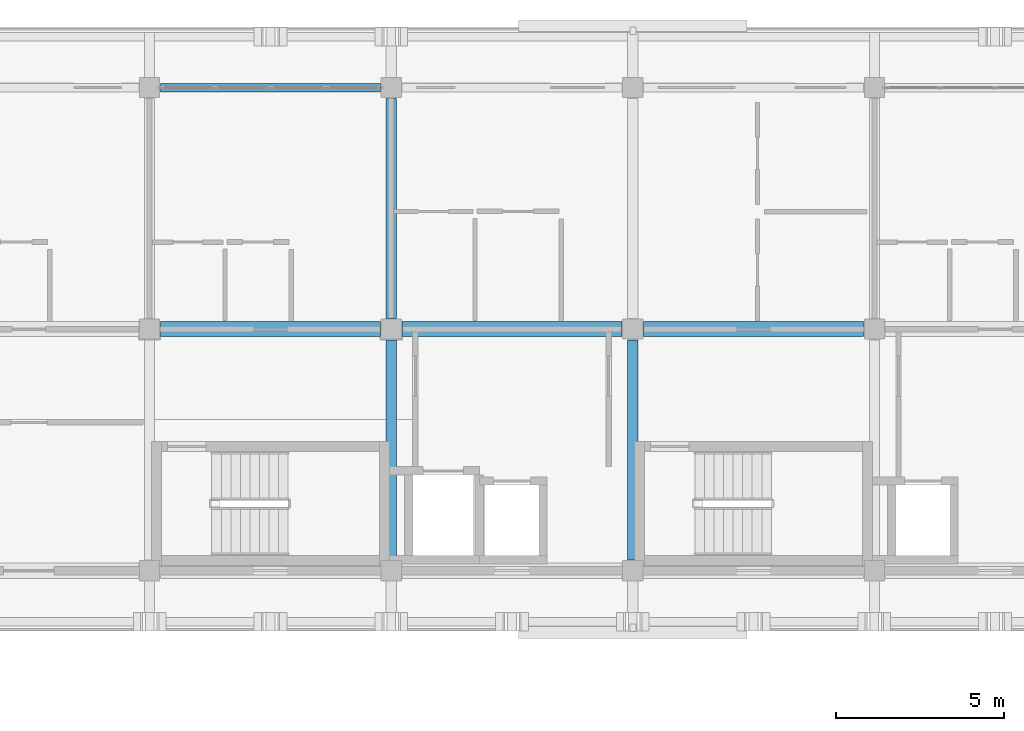
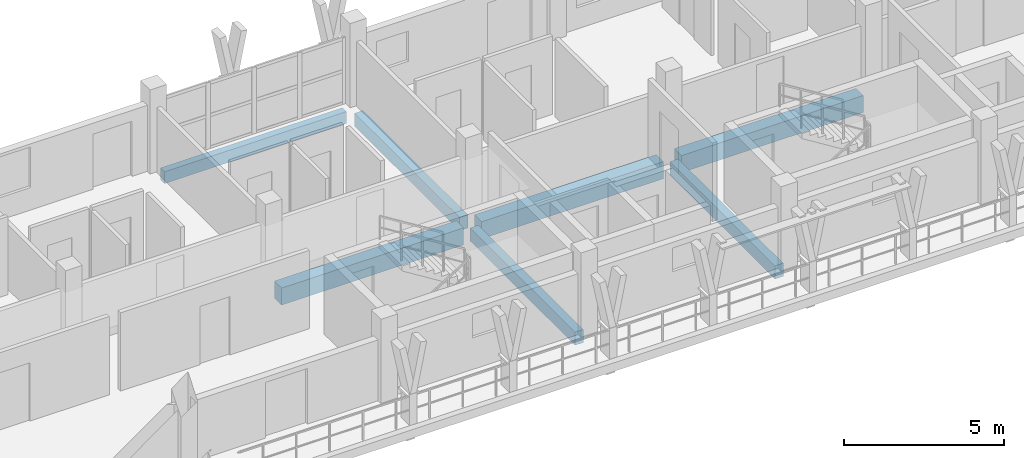
# One storey, part 12 of 73: 7 beams.
"""IFC4 building model written with IfcOpenShell, lengths in metres."""

import ifcopenshell
import ifcopenshell.guid

model = None  # the IFC model being written
_history = None  # IfcOwnerHistory: only IFC2X3 demands one
_inside = {}  # id of a spatial element -> (the spatial element, [elements in it])
_under = {}  # id of a project, library or spatial element -> (it, [spatial elements below it])
_declared = {}  # id of a project -> (the project, [libraries it declares])
_typed = {}  # id of a type object -> (the type object, [elements of that type])
_made_of = {}  # id of a material, layer set ... -> (it, [elements and type objects made of it])


def new_model(schema):
    """Start an empty IFC model of exactly this schema.

    Asked for "IFC4X3", IfcOpenShell would pick the latest addendum, in which some entities
    have other attributes; the version numbers below select the first issue.
    IFC2X3 requires an IfcOwnerHistory on every rooted entity: one is made here for all.
    """
    global model, _history
    if schema == "IFC4X3":
        model = ifcopenshell.file(schema_version=(4, 3, 0, 0))
    else:
        model = ifcopenshell.file(schema=schema)
    _inside.clear()
    _under.clear()
    _declared.clear()
    _typed.clear()
    _made_of.clear()
    _history = None
    if model.schema == "IFC2X3":
        org = make("IfcOrganization", Name="unknown")
        user = make(
            "IfcPersonAndOrganization",
            ThePerson=make("IfcPerson", FamilyName="unknown"),
            TheOrganization=org,
        )
        app = make(
            "IfcApplication",
            ApplicationDeveloper=org,
            Version="unknown",
            ApplicationFullName="unknown",
            ApplicationIdentifier="unknown",
        )
        _history = make(
            "IfcOwnerHistory",
            OwningUser=user,
            OwningApplication=app,
            ChangeAction="ADDED",
            CreationDate=0,
        )
    return model


def make(cls, **values):
    """One entity of the class cls with the attributes given. An attribute that is None is left unset."""
    return model.create_entity(
        cls, **{name: value for name, value in values.items() if value is not None}
    )


def rooted(cls, **values):
    """An entity with a GlobalId (a new one), such as an element, a storey or a relation."""
    return make(cls, GlobalId=ifcopenshell.guid.new(), OwnerHistory=_history, **values)


def si_unit(unit_type, name, prefix=None):
    """IfcSIUnit, for example si_unit("LENGTHUNIT", "METRE", prefix="MILLI")."""
    return make("IfcSIUnit", UnitType=unit_type, Prefix=prefix, Name=name)


def assignment(units):
    """IfcUnitAssignment: the units of a project."""
    return None if units is None else make("IfcUnitAssignment", Units=units)


def point(xyz):
    """IfcCartesianPoint."""
    return None if xyz is None else make("IfcCartesianPoint", Coordinates=xyz)


def direction(xyz):
    """IfcDirection."""
    return None if xyz is None else make("IfcDirection", DirectionRatios=xyz)


def frame(location, z_axis=None, x_axis=None):
    """IfcAxis2Placement3D, a coordinate frame: its origin and axes. An axis left out is left unset."""
    return make(
        "IfcAxis2Placement3D",
        Location=point(location),
        Axis=direction(z_axis),
        RefDirection=direction(x_axis),
    )


def frame_2d(location, x_axis=None):
    """IfcAxis2Placement2D, a coordinate frame in the plane: its origin and x axis."""
    return make(
        "IfcAxis2Placement2D", Location=point(location), RefDirection=direction(x_axis)
    )


def origin():
    """The frame at (0, 0, 0) with its axes left unset."""
    return frame((0.0, 0.0, 0.0))


def origin_2d():
    """The frame at (0, 0) in the plane with its x axis left unset."""
    return frame_2d((0.0, 0.0))


def place(relative_to, where):
    """IfcLocalPlacement: puts the frame where relative to a parent placement (None: the world)."""
    return make(
        "IfcLocalPlacement", PlacementRelTo=relative_to, RelativePlacement=where
    )


def context(
    kind, dimensions, precision=None, world=None, true_north=None, identifier=None
):
    """IfcGeometricRepresentationContext, for example the 3D "Model" context."""
    return make(
        "IfcGeometricRepresentationContext",
        ContextIdentifier=identifier,
        ContextType=kind,
        CoordinateSpaceDimension=dimensions,
        Precision=precision,
        WorldCoordinateSystem=world,
        TrueNorth=true_north,
    )


def subcontext(parent, identifier, kind, view, scale=None):
    """IfcGeometricRepresentationSubContext, for example "Body" below "Model"."""
    return make(
        "IfcGeometricRepresentationSubContext",
        ContextIdentifier=identifier,
        ContextType=kind,
        ParentContext=parent,
        TargetScale=scale,
        TargetView=view,
    )


def project(units=None, contexts=None):
    """IfcProject with its units and contexts."""
    return rooted(
        "IfcProject",
        Name="project",
        RepresentationContexts=contexts,
        UnitsInContext=assignment(units),
    )


def spatial(cls, under=None, at=None, **own):
    """A site, building, storey or space (cls), placed at a placement, below another one or the project."""
    s = rooted(cls, ObjectPlacement=at, **own)
    if under is not None:
        _under.setdefault(under.id(), (under, []))[1].append(s)
    return s


def profile(cls, at=None, kind="AREA", **sizes):
    """A parametric profile (cls). Its sizes go by their IFC names, for example OverallWidth=200.0."""
    return make(cls, ProfileType=kind, Position=at, **sizes)


def rectangle(**sizes):
    """IfcRectangleProfileDef."""
    return profile("IfcRectangleProfileDef", **sizes)


def extrude(swept, where, along, depth):
    """IfcExtrudedAreaSolid: the profile swept, set in the frame where, extruded along a direction by depth."""
    return make(
        "IfcExtrudedAreaSolid",
        SweptArea=swept,
        Position=where,
        ExtrudedDirection=direction(along),
        Depth=depth,
    )


def shape(context_of_items, identifier, shape_type, items):
    """IfcShapeRepresentation: the items that make up one representation, for example the "Body"."""
    return make(
        "IfcShapeRepresentation",
        ContextOfItems=context_of_items,
        RepresentationIdentifier=identifier,
        RepresentationType=shape_type,
        Items=items,
    )


def material(Name=None, Category=None):
    """IfcMaterial."""
    return make("IfcMaterial", Name=Name, Category=Category)


def material_profile(
    of_material, cross_section, Name=None, Category=None, Priority=None
):
    """IfcMaterialProfile: a cross section and its material."""
    return make(
        "IfcMaterialProfile",
        Name=Name,
        Material=of_material,
        Profile=cross_section,
        Priority=Priority,
        Category=Category,
    )


def profile_set(profiles, Name=None, composite=None):
    """IfcMaterialProfileSet."""
    return make(
        "IfcMaterialProfileSet",
        Name=Name,
        MaterialProfiles=profiles,
        CompositeProfile=composite,
    )


def made_of(thing, what):
    """Note that an element or type object is made of a material, layer set ...; save() writes the relation."""
    if what is not None:
        _made_of.setdefault(what.id(), (what, []))[1].append(thing)
    return thing


def type_object(cls, material=None, **own):
    """A type object (cls), such as IfcWallType, which elements share."""
    return made_of(rooted(cls, **own), material)


def element(
    cls,
    number,
    at=None,
    inside=None,
    cuts=None,
    type_object=None,
    material=None,
    context=None,
    identifier="Body",
    shape_type=None,
    held_by="IfcProductDefinitionShape",
    body=None,
    shapes=None,
    **own,
):
    """One element of the class cls, such as IfcWall. Its Tag is "e" and its number.

    at: its placement. inside: the storey or other place that contains it. cuts: it is an
    opening in that element (IfcRelVoidsElement). A single representation is given by context,
    identifier, shape_type and body (its items); several are given by shapes. held_by: the class
    of the entity that holds the representations. save() writes the other relations.
    """
    e = rooted(cls, Tag="e%d" % number, ObjectPlacement=at, **own)
    if body is not None:
        shapes = [shape(context, identifier, shape_type, body)]
    if shapes is not None:
        e.Representation = make(held_by, Representations=shapes)
    if inside is not None:
        _inside.setdefault(inside.id(), (inside, []))[1].append(e)
    if cuts is not None:
        rooted(
            "IfcRelVoidsElement", RelatingBuildingElement=cuts, RelatedOpeningElement=e
        )
    if type_object is not None:
        _typed.setdefault(type_object.id(), (type_object, []))[1].append(e)
    return made_of(e, material)


def aggregate(whole, parts):
    """IfcRelAggregates: a whole, such as a stair, and the parts it consists of."""
    return rooted("IfcRelAggregates", RelatingObject=whole, RelatedObjects=parts)


def save(model, path):
    """Write the relations noted so far, then the file.

    IfcRelAggregates (storeys below a building ...), IfcRelContainedInSpatialStructure (elements
    in a storey), IfcRelDefinesByType, IfcRelAssociatesMaterial and IfcRelDeclares: one each for
    every whole, place, type object, material and project.
    """
    for whole, parts in _under.values():
        aggregate(whole, parts)
    for where, things in _inside.values():
        rooted(
            "IfcRelContainedInSpatialStructure",
            RelatedElements=things,
            RelatingStructure=where,
        )
    for kind, things in _typed.values():
        rooted("IfcRelDefinesByType", RelatedObjects=things, RelatingType=kind)
    for what, things in _made_of.values():
        rooted("IfcRelAssociatesMaterial", RelatedObjects=things, RelatingMaterial=what)
    for by, libraries in _declared.values():
        rooted("IfcRelDeclares", RelatingContext=by, RelatedDefinitions=libraries)
    model.write(path)


model = new_model("IFC4")

# Units and contexts
model_context = context("Model", 3, precision=1e-05, world=origin(), true_north=direction((0.0, 1.0)))
body_context = subcontext(model_context, "Body", "Model", "MODEL_VIEW")
ifc_project = project(units=[si_unit("LENGTHUNIT", "METRE"), si_unit("AREAUNIT", "SQUARE_METRE"), si_unit("VOLUMEUNIT", "CUBIC_METRE"), si_unit("PLANEANGLEUNIT", "RADIAN"), si_unit("MASSUNIT", "GRAM", prefix="KILO")], contexts=[model_context])

# Site, building, storey
site_placement = place(None, origin())
site = spatial("IfcSite", under=ifc_project, at=site_placement, CompositionType="ELEMENT")
building_placement = place(site_placement, origin())
building = spatial("IfcBuilding", under=site, at=building_placement, Name="Suanplinth Sawtooth Commons", CompositionType="ELEMENT")
storey_placement = place(building_placement, frame((0.0, 0.0, 21.89990234375)))
storey = spatial("IfcBuildingStorey", under=building, at=storey_placement, Name="L06", CompositionType="ELEMENT", Elevation=21.89990234375)

# Beams
ifc_material = material(Name="Precast concrete C40/50", Category="concrete")
ifc_material_profile_1 = material_profile(ifc_material, rectangle(XDim=0.449951171875, YDim=0.64990234375, at=origin_2d()), Name="PC-GDR 450x650")
ifc_profile_set_1 = profile_set([ifc_material_profile_1], Name="Precast concrete C40/50")
beam_type_1 = type_object("IfcBeamType", Name="B-04", PredefinedType="USERDEFINED", material=ifc_profile_set_1)
beam_1_placement = place(storey_placement, frame((43.52490234375, 115.199951171875, -0.56494140625), z_axis=(1.0, 0.0, 0.0), x_axis=(0.0, 1.0, 0.0)))
element("IfcBeam", 1, at=beam_1_placement, inside=storey, type_object=beam_type_1, Name="BMX-L06-A-6-16", ObjectType="GIRDER", PredefinedType="USERDEFINED", context=body_context, shape_type="SweptSolid", body=[
    extrude(rectangle(XDim=0.449951171875, YDim=0.64990234375, at=origin_2d()), origin(), (0.0, 0.0, 1.0), 6.550048828125),
])
beam_2_placement = place(storey_placement, frame((50.72509765625, 115.199951171875, -0.56494140625), z_axis=(1.0, 0.0, 0.0), x_axis=(0.0, 1.0, 0.0)))
element("IfcBeam", 2, at=beam_2_placement, inside=storey, type_object=beam_type_1, Name="BMX-L06-A-7-16", ObjectType="GIRDER", PredefinedType="USERDEFINED", context=body_context, shape_type="SweptSolid", body=[
    extrude(rectangle(XDim=0.449951171875, YDim=0.64990234375, at=origin_2d()), origin(), (0.0, 0.0, 1.0), 6.5498046875),
])
beam_3_placement = place(storey_placement, frame((57.925048828125, 115.199951171875, -0.56494140625), z_axis=(1.0, 0.0, 0.0), x_axis=(0.0, 1.0, 0.0)))
element("IfcBeam", 3, at=beam_3_placement, inside=storey, type_object=beam_type_1, Name="BMX-L06-A-8-16", ObjectType="GIRDER", PredefinedType="USERDEFINED", context=body_context, shape_type="SweptSolid", body=[
    extrude(rectangle(XDim=0.449951171875, YDim=0.64990234375, at=origin_2d()), origin(), (0.0, 0.0, 1.0), 6.550048828125),
])
ifc_material_profile_2 = material_profile(ifc_material, rectangle(XDim=0.300048828125, YDim=0.5, at=origin_2d()), Name="PC-BM 300x500")
ifc_profile_set_2 = profile_set([ifc_material_profile_2], Name="Precast concrete C40/50")
beam_type_2 = type_object("IfcBeamType", Name="B-07", PredefinedType="BEAM", material=ifc_profile_set_2)
for number, where, z_axis, x_axis, name in (
    (4, (50.39990234375, 108.324951171875, -0.489990234375), (0.0, 1.0, 0.0), (-1.0, 0.0, 0.0), "BMY-L06-A-7-15"),
    (5, (50.39990234375, 115.52490234375, -0.489990234375), (0.0, 1.0, 0.0), (-1.0, 0.0, 0.0), "BMY-L06-A-7-16"),
    (6, (57.60009765625, 108.324951171875, -0.489990234375), (0.0, 1.0, 0.0), (-1.0, 0.0, 0.0), "BMY-L06-A-8-15"),
):
    element("IfcBeam", number, at=place(storey_placement, frame(where, z_axis=z_axis, x_axis=x_axis)), inside=storey, type_object=beam_type_2, Name=name, PredefinedType="BEAM", context=body_context, shape_type="SweptSolid", body=[
        extrude(rectangle(XDim=0.300048828125, YDim=0.5, at=origin_2d()), origin(), (0.0, 0.0, 1.0), 6.550048828125),
    ])
ifc_material_profile_3 = material_profile(ifc_material, rectangle(XDim=0.25, YDim=0.449951171875, at=origin_2d()), Name="PC-SP 250x450")
ifc_profile_set_3 = profile_set([ifc_material_profile_3], Name="Precast concrete C40/50")
beam_type_3 = type_object("IfcBeamType", Name="B-09", PredefinedType="SPANDREL", material=ifc_profile_set_3)
beam_4_placement = place(storey_placement, frame((43.52490234375, 122.39990234375, -0.46484375), z_axis=(1.0, 0.0, 0.0), x_axis=(0.0, 1.0, 0.0)))
element("IfcBeam", 7, at=beam_4_placement, inside=storey, type_object=beam_type_3, Name="BMX-L06-A-6-17", PredefinedType="SPANDREL", context=body_context, shape_type="SweptSolid", body=[
    extrude(rectangle(XDim=0.25, YDim=0.449951171875, at=origin_2d()), origin(), (0.0, 0.0, 1.0), 6.550048828125),
])

save(model, "model.ifc")
